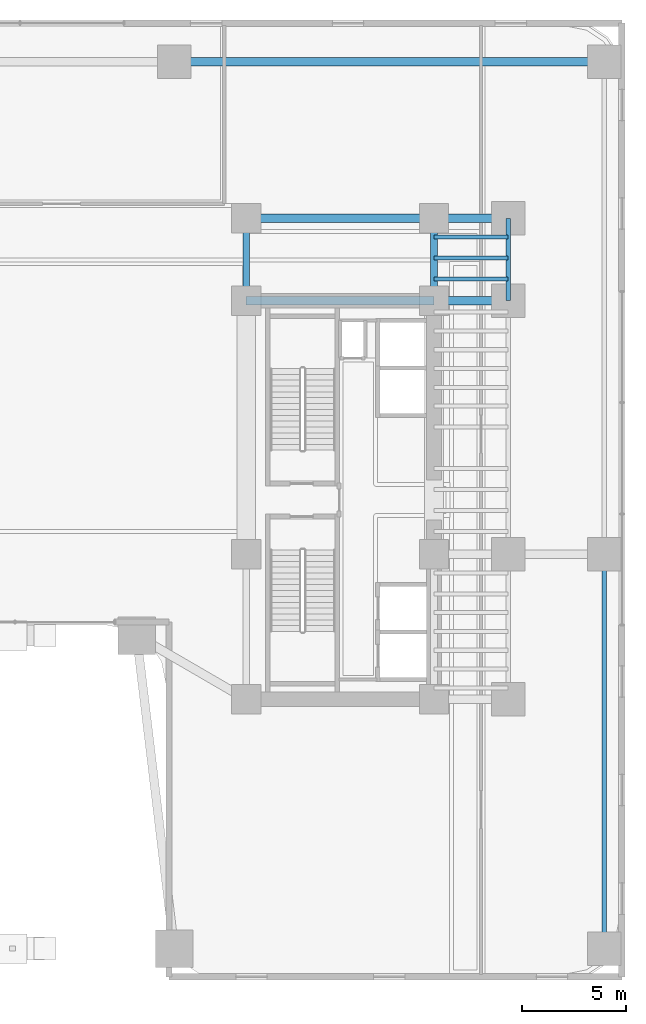
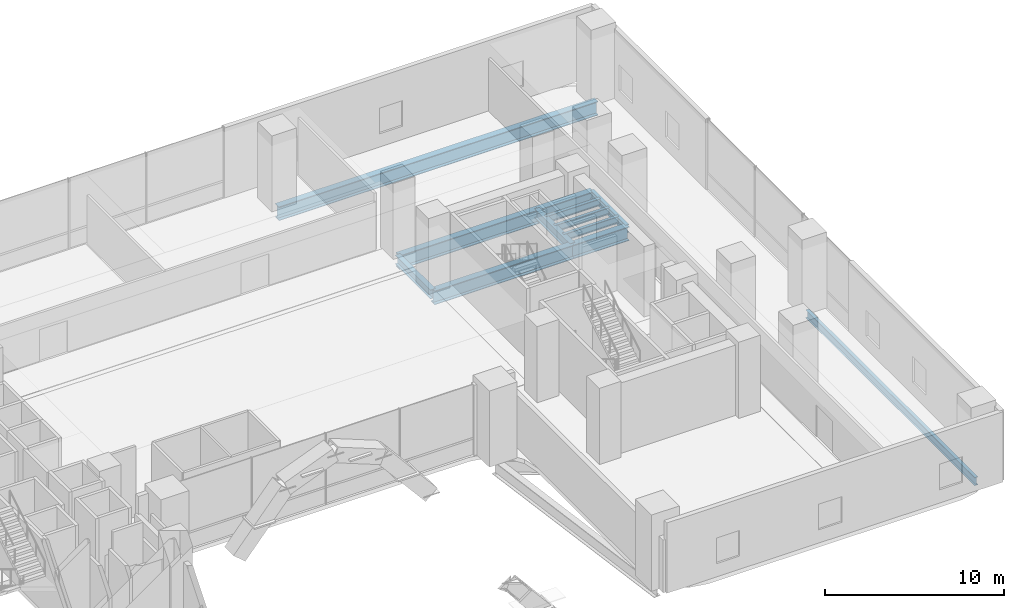
# One storey, part 19 of 39: 12 beams.
"""IFC4 building model written with IfcOpenShell, lengths in metres."""

from ifc_helpers import new_model, si_unit, direction, frame, origin, origin_2d, place, context, subcontext, project, spatial, i_section, extrude, source, transform, mapped, material, material_profile, profile_set, type_object, element, save


model = new_model("IFC4")

# Units and contexts
model_context = context("Model", 3, precision=1e-05, world=origin(), true_north=direction((0.0, 1.0)))
body_context = subcontext(model_context, "Body", "Model", "MODEL_VIEW")
ifc_project = project(units=[si_unit("LENGTHUNIT", "METRE"), si_unit("AREAUNIT", "SQUARE_METRE"), si_unit("VOLUMEUNIT", "CUBIC_METRE"), si_unit("PLANEANGLEUNIT", "RADIAN"), si_unit("MASSUNIT", "GRAM", prefix="KILO")], contexts=[model_context])

# Site, building, storey
site_placement = place(None, origin())
site = spatial("IfcSite", under=ifc_project, at=site_placement, CompositionType="ELEMENT")
building_placement = place(site_placement, origin())
building = spatial("IfcBuilding", under=site, at=building_placement, Name="Valdorenza Pilgrim Sanctuary Tower", CompositionType="ELEMENT")
storey_placement = place(building_placement, frame((0.0, 0.0, 15.60009765625)))
storey = spatial("IfcBuildingStorey", under=building, at=storey_placement, Name="L03", CompositionType="ELEMENT", Elevation=15.60009765625)

# Beams
ifc_material = material(Name="Steel ASTM A992 Grade 50", Category="steel")
ifc_material_profile_1 = material_profile(ifc_material, i_section(OverallWidth=0.423095703125, OverallDepth=0.947998046875, WebThickness=0.02392578125, FlangeThickness=0.042724609375, at=origin_2d()), Name="W36X302")
ifc_profile_set_1 = profile_set([ifc_material_profile_1], Name="Steel ASTM A992 Grade 50")
beam_type_1 = type_object("IfcBeamType", Name="STR-BM-GRD-W36A", PredefinedType="BEAM", material=ifc_profile_set_1)
shared_shape_1 = source(origin(), body_context, "Body", "SweptSolid", [
    extrude(i_section(OverallWidth=0.423095703125, OverallDepth=0.947998046875, WebThickness=0.02392578125, FlangeThickness=0.042724609375, at=origin_2d()), origin(), (0.0, 0.0, 1.0), 9.0),
])
for number, where, z_axis, x_axis, name in (
    (1, (15.85009765625, 9.550048828125, -0.754150390625), (1.0, 0.0, 0.0), (0.0, 1.0, 0.0), "L03 Floor Girder CB-XC-N1"),
    (2, (15.85009765625, 13.5, -0.754150390625), (1.0, 0.0, 0.0), (0.0, 1.0, 0.0), "L03 Floor Girder CB-XC-N2"),
):
    element("IfcBeam", number, at=place(storey_placement, frame(where, z_axis=z_axis, x_axis=x_axis)), inside=storey, type_object=beam_type_1, Name=name, PredefinedType="BEAM", context=body_context, shape_type="MappedRepresentation", body=[
        mapped(shared_shape_1, transform((0.0, 0.0, 0.0), x_axis=(1.0, 0.0, 0.0), y_axis=(0.0, 1.0, 0.0), z_axis=(0.0, 0.0, 1.0), scale=1.0)),
    ])
shared_shape_2 = source(origin(), body_context, "Body", "SweptSolid", [
    extrude(i_section(OverallWidth=0.423095703125, OverallDepth=0.947998046875, WebThickness=0.02392578125, FlangeThickness=0.042724609375, at=origin_2d()), origin(), (0.0, 0.0, 1.0), 3.5498046875),
])
for number, where, z_axis, x_axis, name in (
    (3, (24.85009765625, 9.550048828125, -0.754150390625), (1.0, 0.0, 0.0), (0.0, 1.0, 0.0), "L03 Floor Girder WB-XE-N1"),
    (4, (24.85009765625, 13.5, -0.754150390625), (1.0, 0.0, 0.0), (0.0, 1.0, 0.0), "L03 Floor Girder WB-XE-N2"),
):
    element("IfcBeam", number, at=place(storey_placement, frame(where, z_axis=z_axis, x_axis=x_axis)), inside=storey, type_object=beam_type_1, Name=name, PredefinedType="BEAM", context=body_context, shape_type="MappedRepresentation", body=[
        mapped(shared_shape_2, transform((0.0, 0.0, 0.0), x_axis=(1.0, 0.0, 0.0), y_axis=(0.0, 1.0, 0.0), z_axis=(0.0, 0.0, 1.0), scale=1.0)),
    ])
ifc_material_profile_2 = material_profile(ifc_material, i_section(OverallWidth=0.323974609375, OverallDepth=0.611083984375, WebThickness=0.0126953125, FlangeThickness=0.01904296875, at=origin_2d()), Name="W24X104")
ifc_profile_set_2 = profile_set([ifc_material_profile_2], Name="Steel ASTM A992 Grade 50")
beam_type_2 = type_object("IfcBeamType", Name="STR-BM-GRD-W24B", PredefinedType="BEAM", material=ifc_profile_set_2)
shared_shape_3 = source(origin(), body_context, "Body", "SweptSolid", [
    extrude(i_section(OverallWidth=0.323974609375, OverallDepth=0.611083984375, WebThickness=0.0126953125, FlangeThickness=0.01904296875, at=origin_2d()), origin(), (0.0, 0.0, 1.0), 3.949951171875),
])
for number, where, z_axis, x_axis, name in (
    (5, (15.85009765625, 9.550048828125, -0.585693359375), (0.0, 1.0, 0.0), (-1.0, 0.0, 0.0), "L03 Core Tie Girder CB-W-N1N2"),
    (6, (24.85009765625, 9.550048828125, -0.585693359375), (0.0, 1.0, 0.0), (-1.0, 0.0, 0.0), "L03 Core Tie Girder CB-E-N1N2"),
):
    element("IfcBeam", number, at=place(storey_placement, frame(where, z_axis=z_axis, x_axis=x_axis)), inside=storey, type_object=beam_type_2, Name=name, PredefinedType="BEAM", context=body_context, shape_type="MappedRepresentation", body=[
        mapped(shared_shape_3, transform((0.0, 0.0, 0.0), x_axis=(1.0, 0.0, 0.0), y_axis=(0.0, 1.0, 0.0), z_axis=(0.0, 0.0, 1.0), scale=1.0)),
    ])
ifc_material_profile_3 = material_profile(ifc_material, i_section(OverallWidth=0.214111328125, OverallDepth=0.549072265625, WebThickness=0.0146484375, FlangeThickness=0.023681640625, at=origin_2d()), Name="W21X93")
ifc_profile_set_3 = profile_set([ifc_material_profile_3], Name="Steel ASTM A992 Grade 50")
beam_type_3 = type_object("IfcBeamType", Name="STR-BM-SPN-W21A", PredefinedType="SPANDREL", material=ifc_profile_set_3)
shared_shape_4 = source(origin(), body_context, "Body", "SweptSolid", [
    extrude(i_section(OverallWidth=0.214111328125, OverallDepth=0.549072265625, WebThickness=0.0146484375, FlangeThickness=0.023681640625, at=origin_2d()), origin(), (0.0, 0.0, 1.0), 3.949951171875),
])
beam_1_placement = place(storey_placement, frame((28.39990234375, 9.550048828125, -0.5546875), z_axis=(0.0, 1.0, 0.0), x_axis=(-1.0, 0.0, 0.0)))
element("IfcBeam", 7, at=beam_1_placement, inside=storey, type_object=beam_type_3, Name="L03 Spandrel Beam WB-E-N1N2", PredefinedType="SPANDREL", context=body_context, shape_type="MappedRepresentation", body=[
    mapped(shared_shape_4, transform((0.0, 0.0, 0.0), x_axis=(1.0, 0.0, 0.0), y_axis=(0.0, 1.0, 0.0), z_axis=(0.0, 0.0, 1.0), scale=1.0)),
])
ifc_material_profile_4 = material_profile(ifc_material, i_section(OverallWidth=0.193115234375, OverallDepth=0.466064453125, WebThickness=0.011474609375, FlangeThickness=0.01904296875, at=origin_2d()), Name="W18X65")
ifc_profile_set_4 = profile_set([ifc_material_profile_4], Name="Steel ASTM A992 Grade 50")
beam_type_4 = type_object("IfcBeamType", Name="STR-BM-JST-W18A", PredefinedType="JOIST", material=ifc_profile_set_4)
shared_shape_5 = source(origin(), body_context, "Body", "SweptSolid", [
    extrude(i_section(OverallWidth=0.193115234375, OverallDepth=0.466064453125, WebThickness=0.011474609375, FlangeThickness=0.01904296875, at=origin_2d()), origin(), (0.0, 0.0, 1.0), 3.5498046875),
])
for number, where, z_axis, x_axis, name in (
    (8, (24.85009765625, 10.60009765625, -0.51318359375), (1.0, 0.0, 0.0), (0.0, 1.0, 0.0), "L03 Composite Floor Joist JST-WB-19"),
    (9, (24.85009765625, 11.60009765625, -0.51318359375), (1.0, 0.0, 0.0), (0.0, 1.0, 0.0), "L03 Composite Floor Joist JST-WB-20"),
    (10, (24.85009765625, 12.60009765625, -0.51318359375), (1.0, 0.0, 0.0), (0.0, 1.0, 0.0), "L03 Composite Floor Joist JST-WB-21"),
):
    element("IfcBeam", number, at=place(storey_placement, frame(where, z_axis=z_axis, x_axis=x_axis)), inside=storey, type_object=beam_type_4, Name=name, PredefinedType="JOIST", context=body_context, shape_type="MappedRepresentation", body=[
        mapped(shared_shape_5, transform((0.0, 0.0, 0.0), x_axis=(1.0, 0.0, 0.0), y_axis=(0.0, 1.0, 0.0), z_axis=(0.0, 0.0, 1.0), scale=1.0)),
    ])
shared_shape_6 = source(origin(), body_context, "Body", "SweptSolid", [
    extrude(i_section(OverallWidth=0.214111328125, OverallDepth=0.549072265625, WebThickness=0.0146484375, FlangeThickness=0.023681640625, at=origin_2d()), origin(), (0.0, 0.0, 1.0), 18.89990234375),
])
beam_2_placement = place(storey_placement, frame((33.0, -21.5, -0.5546875), z_axis=(0.0, 1.0, 0.0), x_axis=(-1.0, 0.0, 0.0)))
element("IfcBeam", 11, at=beam_2_placement, inside=storey, type_object=beam_type_3, Name="L03 Floor Girder POD-SPN-ES", PredefinedType="SPANDREL", context=body_context, shape_type="MappedRepresentation", body=[
    mapped(shared_shape_6, transform((0.0, 0.0, 0.0), x_axis=(1.0, 0.0, 0.0), y_axis=(0.0, 1.0, 0.0), z_axis=(0.0, 0.0, 1.0), scale=1.0)),
])
shared_shape_7 = source(origin(), body_context, "Body", "SweptSolid", [
    extrude(i_section(OverallWidth=0.423095703125, OverallDepth=0.947998046875, WebThickness=0.02392578125, FlangeThickness=0.042724609375, at=origin_2d()), origin(), (0.0, 0.0, 1.0), 20.60009765625),
])
beam_3_placement = place(storey_placement, frame((12.39990234375, 21.0, -0.754150390625), z_axis=(1.0, 0.0, 0.0), x_axis=(0.0, 1.0, 0.0)))
element("IfcBeam", 12, at=beam_3_placement, inside=storey, type_object=beam_type_1, Name="L03 Floor Girder POD-N-TIE3", PredefinedType="BEAM", context=body_context, shape_type="MappedRepresentation", body=[
    mapped(shared_shape_7, transform((0.0, 0.0, 0.0), x_axis=(1.0, 0.0, 0.0), y_axis=(0.0, 1.0, 0.0), z_axis=(0.0, 0.0, 1.0), scale=1.0)),
])

save(model, "model.ifc")
